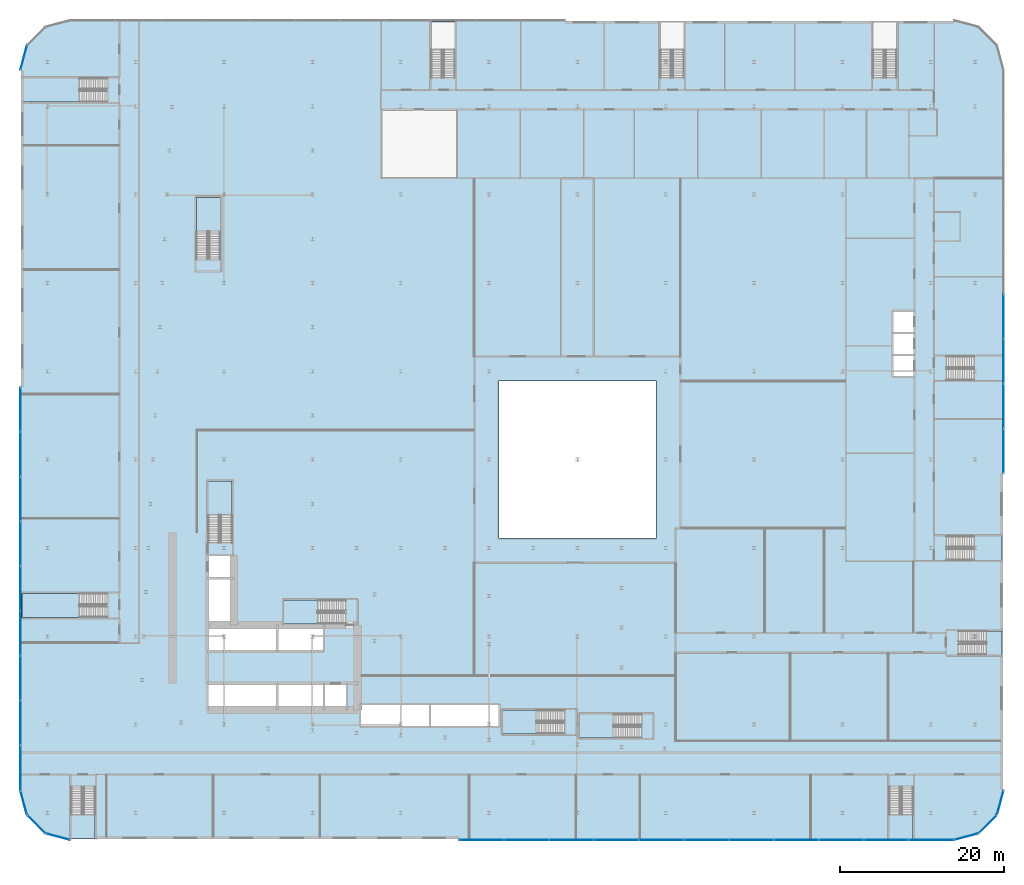
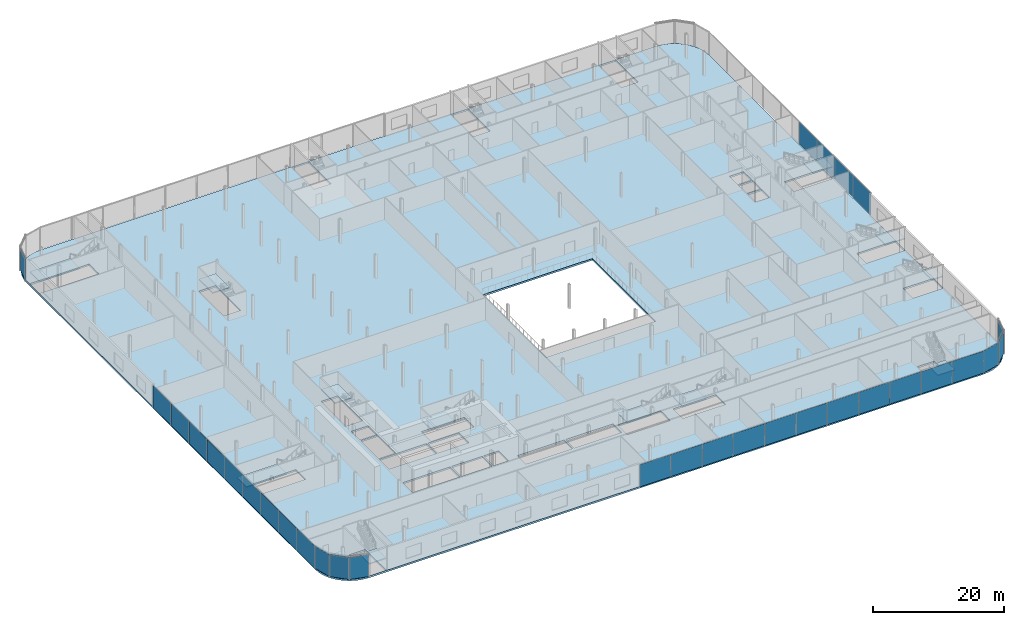
# One storey, part 24 of 47: 31 plates, 13 slabs, 22 elements without a shape of their own.
"""IFC4 building model written with IfcOpenShell, lengths in metres."""

from ifc_helpers import new_model, si_unit, direction, frame, origin, origin_2d, place, context, subcontext, project, spatial, polyline, rectangle, outline, extrude, material, layer, layer_set, type_object, element, aggregate, save


model = new_model("IFC4")

# Units and contexts
model_context = context("Model", 3, precision=1e-05, world=origin(), true_north=direction((0.0, 1.0)))
body_context = subcontext(model_context, "Body", "Model", "MODEL_VIEW")
ifc_project = project(units=[si_unit("LENGTHUNIT", "METRE"), si_unit("AREAUNIT", "SQUARE_METRE"), si_unit("VOLUMEUNIT", "CUBIC_METRE"), si_unit("PLANEANGLEUNIT", "RADIAN"), si_unit("MASSUNIT", "GRAM", prefix="KILO")], contexts=[model_context])

# Site, building, storey
site_placement = place(None, origin())
site = spatial("IfcSite", under=ifc_project, at=site_placement, CompositionType="ELEMENT")
building_placement = place(site_placement, origin())
building = spatial("IfcBuilding", under=site, at=building_placement, Name="Kheshtan School and Residences Tower", CompositionType="ELEMENT")
storey_placement = place(building_placement, frame((0.0, 0.0, 21.5)))
storey = spatial("IfcBuildingStorey", under=building, at=storey_placement, Name="L04", CompositionType="ELEMENT", Elevation=21.5)

# Curtain wall, plate
ifc_material_1 = material(Name="Clear low-e glass in thermally broken aluminium frame", Category="aluminium")
ifc_layer_1 = layer(ifc_material_1, 0.22509765625)
ifc_layer_set_1 = layer_set([ifc_layer_1], Name="Curtain wall CW-P")
curtain_wall_type = type_object("IfcCurtainWallType", Name="Curtain wall CW-P", PredefinedType="NOTDEFINED", material=ifc_layer_set_1)
curtain_wall_1_placement = place(storey_placement, origin())
curtain_wall_1 = element("IfcCurtainWall", 1, at=curtain_wall_1_placement, inside=storey, type_object=curtain_wall_type, Name="Curtain wall CWP1a", PredefinedType="NOTDEFINED")
ifc_layer_2 = layer(ifc_material_1, 0.035888671875)
ifc_layer_set_2 = layer_set([ifc_layer_2], Name="CW-P glass panel")
plate_type = type_object("IfcPlateType", Name="CW-P glass panel", PredefinedType="CURTAIN_PANEL", material=ifc_layer_set_2)
plate_1_placement = place(storey_placement, frame((12.305419921875, 105.52587890625, 0.0), z_axis=(0.0, 0.0, 1.0), x_axis=(0.258864833085, 0.965913556273, 0.0)))
plate_1 = element("IfcPlate", 2, at=plate_1_placement, type_object=plate_type, Name="CWP1a panel 1.1", PredefinedType="CURTAIN_PANEL", context=body_context, shape_type="SweptSolid", body=[
    extrude(rectangle(XDim=2.98583984375, YDim=0.035888671875, at=origin_2d()), origin(), (0.0, 0.0, 1.0), 4.110107421875),
])
aggregate(curtain_wall_1, [plate_1])

# Curtain wall, plates
curtain_wall_2_placement = place(storey_placement, origin())
curtain_wall_2 = element("IfcCurtainWall", 3, at=curtain_wall_2_placement, inside=storey, type_object=curtain_wall_type, Name="Curtain wall CWP8a", PredefinedType="NOTDEFINED")
plate_2_placement = place(storey_placement, frame((132.10009765625, 73.884521484375, 0.0), z_axis=(0.0, 0.0, 1.0), x_axis=(0.0, -1.0, 0.0)))
plate_2 = element("IfcPlate", 4, at=plate_2_placement, type_object=plate_type, Name="CWP8a panel 6.1", PredefinedType="CURTAIN_PANEL", context=body_context, shape_type="SweptSolid", body=[
    extrude(rectangle(XDim=5.41552734375, YDim=0.035888671875, at=origin_2d()), origin(), (0.0, 0.0, 1.0), 4.110107421875),
])
plate_3_placement = place(storey_placement, frame((132.10009765625, 68.408935546875, 0.0), z_axis=(0.0, 0.0, 1.0), x_axis=(0.0, -1.0, 0.0)))
plate_3 = element("IfcPlate", 5, at=plate_3_placement, type_object=plate_type, Name="CWP8a panel 7.1", PredefinedType="CURTAIN_PANEL", context=body_context, shape_type="SweptSolid", body=[
    extrude(rectangle(XDim=5.41552734375, YDim=0.035888671875, at=origin_2d()), origin(), (0.0, 0.0, 1.0), 4.110107421875),
])
plate_4_placement = place(storey_placement, frame((132.10009765625, 62.933349609375, 0.0), z_axis=(0.0, 0.0, 1.0), x_axis=(0.0, -1.0, 0.0)))
plate_4 = element("IfcPlate", 6, at=plate_4_placement, type_object=plate_type, Name="CWP8a panel 8.1", PredefinedType="CURTAIN_PANEL", context=body_context, shape_type="SweptSolid", body=[
    extrude(rectangle(XDim=5.41552734375, YDim=0.035888671875, at=origin_2d()), origin(), (0.0, 0.0, 1.0), 4.110107421875),
])
plate_5_placement = place(storey_placement, frame((132.10009765625, 57.47265625, 0.0), z_axis=(0.0, 0.0, 1.0), x_axis=(0.0, -1.0, 0.0)))
plate_5 = element("IfcPlate", 7, at=plate_5_placement, type_object=plate_type, Name="CWP8a panel 9.1", PredefinedType="CURTAIN_PANEL", context=body_context, shape_type="SweptSolid", body=[
    extrude(rectangle(XDim=5.385498046875, YDim=0.035888671875, at=origin_2d()), origin(), (0.0, 0.0, 1.0), 4.110107421875),
])
aggregate(curtain_wall_2, [plate_2, plate_3, plate_4, plate_5])

# Curtain wall, plate
curtain_wall_3_placement = place(storey_placement, origin())
curtain_wall_3 = element("IfcCurtainWall", 8, at=curtain_wall_3_placement, inside=storey, type_object=curtain_wall_type, Name="Curtain wall CWP9a", PredefinedType="NOTDEFINED")
plate_6_placement = place(storey_placement, frame((131.694580078125, 14.47412109375, 0.0), z_axis=(0.0, 0.0, 1.0), x_axis=(-0.258864833085, -0.965913556273, 0.0)))
plate_6 = element("IfcPlate", 9, at=plate_6_placement, type_object=plate_type, Name="CWP9a panel 1.1", PredefinedType="CURTAIN_PANEL", context=body_context, shape_type="SweptSolid", body=[
    extrude(rectangle(XDim=2.98583984375, YDim=0.035888671875, at=origin_2d()), origin(), (0.0, 0.0, 1.0), 4.110107421875),
])
aggregate(curtain_wall_3, [plate_6])

curtain_wall_4_placement = place(storey_placement, origin())
curtain_wall_4 = element("IfcCurtainWall", 10, at=curtain_wall_4_placement, inside=storey, type_object=curtain_wall_type, Name="Curtain wall CWP10a", PredefinedType="NOTDEFINED")
plate_7_placement = place(storey_placement, frame((130.168701171875, 11.831298828125, 0.0), z_axis=(0.0, 0.0, 1.0), x_axis=(-0.707106781187, -0.707106781187, 0.0)))
plate_7 = element("IfcPlate", 11, at=plate_7_placement, type_object=plate_type, Name="CWP10a panel 1.1", PredefinedType="CURTAIN_PANEL", context=body_context, shape_type="SweptSolid", body=[
    extrude(rectangle(XDim=2.985595703125, YDim=0.035888671875, at=origin_2d()), origin(), (0.0, 0.0, 1.0), 4.110107421875),
])
aggregate(curtain_wall_4, [plate_7])

curtain_wall_5_placement = place(storey_placement, origin())
curtain_wall_5 = element("IfcCurtainWall", 12, at=curtain_wall_5_placement, inside=storey, type_object=curtain_wall_type, Name="Curtain wall CWP11a", PredefinedType="NOTDEFINED")
plate_8_placement = place(storey_placement, frame((127.52587890625, 10.305419921875, 0.0), z_axis=(0.0, 0.0, 1.0), x_axis=(-0.965913556273, -0.258864833085, 0.0)))
plate_8 = element("IfcPlate", 13, at=plate_8_placement, type_object=plate_type, Name="CWP11a panel 1.1", PredefinedType="CURTAIN_PANEL", context=body_context, shape_type="SweptSolid", body=[
    extrude(rectangle(XDim=2.98583984375, YDim=0.035888671875, at=origin_2d()), origin(), (0.0, 0.0, 1.0), 4.110107421875),
])
aggregate(curtain_wall_5, [plate_8])

# Curtain wall, plates
curtain_wall_6_placement = place(storey_placement, origin())
curtain_wall_6 = element("IfcCurtainWall", 14, at=curtain_wall_6_placement, inside=storey, type_object=curtain_wall_type, Name="Curtain wall CWP12a", PredefinedType="NOTDEFINED")
plate_9_placement = place(storey_placement, frame((123.2783203125, 9.89990234375, 0.0), z_axis=(0.0, 0.0, 1.0), x_axis=(-1.0, 0.0, 0.0)))
plate_9 = element("IfcPlate", 15, at=plate_9_placement, type_object=plate_type, Name="CWP12a panel 1.1", PredefinedType="CURTAIN_PANEL", context=body_context, shape_type="SweptSolid", body=[
    extrude(rectangle(XDim=5.4931640625, YDim=0.035888671875, at=origin_2d()), origin(), (0.0, 0.0, 1.0), 4.110107421875),
])
plate_10_placement = place(storey_placement, frame((117.752685546875, 9.89990234375, 0.0), z_axis=(0.0, 0.0, 1.0), x_axis=(-1.0, 0.0, 0.0)))
plate_10 = element("IfcPlate", 16, at=plate_10_placement, type_object=plate_type, Name="CWP12a panel 2.1", PredefinedType="CURTAIN_PANEL", context=body_context, shape_type="SweptSolid", body=[
    extrude(rectangle(XDim=5.438232421875, YDim=0.035888671875, at=origin_2d()), origin(), (0.0, 0.0, 1.0), 4.110107421875),
])
plate_11_placement = place(storey_placement, frame((112.254638671875, 9.89990234375, 0.0), z_axis=(0.0, 0.0, 1.0), x_axis=(-1.0, 0.0, 0.0)))
plate_11 = element("IfcPlate", 17, at=plate_11_placement, type_object=plate_type, Name="CWP12a panel 3.1", PredefinedType="CURTAIN_PANEL", context=body_context, shape_type="SweptSolid", body=[
    extrude(rectangle(XDim=5.438232421875, YDim=0.035888671875, at=origin_2d()), origin(), (0.0, 0.0, 1.0), 4.110107421875),
])
plate_12_placement = place(storey_placement, frame((106.75634765625, 9.89990234375, 0.0), z_axis=(0.0, 0.0, 1.0), x_axis=(-1.0, 0.0, 0.0)))
plate_12 = element("IfcPlate", 18, at=plate_12_placement, type_object=plate_type, Name="CWP12a panel 4.1", PredefinedType="CURTAIN_PANEL", context=body_context, shape_type="SweptSolid", body=[
    extrude(rectangle(XDim=5.438232421875, YDim=0.035888671875, at=origin_2d()), origin(), (0.0, 0.0, 1.0), 4.110107421875),
])
plate_13_placement = place(storey_placement, frame((101.25830078125, 9.89990234375, 0.0), z_axis=(0.0, 0.0, 1.0), x_axis=(-1.0, 0.0, 0.0)))
plate_13 = element("IfcPlate", 19, at=plate_13_placement, type_object=plate_type, Name="CWP12a panel 5.1", PredefinedType="CURTAIN_PANEL", context=body_context, shape_type="SweptSolid", body=[
    extrude(rectangle(XDim=5.438232421875, YDim=0.035888671875, at=origin_2d()), origin(), (0.0, 0.0, 1.0), 4.110107421875),
])
plate_14_placement = place(storey_placement, frame((95.760009765625, 9.89990234375, 0.0), z_axis=(0.0, 0.0, 1.0), x_axis=(-1.0, 0.0, 0.0)))
plate_14 = element("IfcPlate", 20, at=plate_14_placement, type_object=plate_type, Name="CWP12a panel 6.1", PredefinedType="CURTAIN_PANEL", context=body_context, shape_type="SweptSolid", body=[
    extrude(rectangle(XDim=5.438232421875, YDim=0.035888671875, at=origin_2d()), origin(), (0.0, 0.0, 1.0), 4.110107421875),
])
plate_15_placement = place(storey_placement, frame((90.26171875, 9.89990234375, 0.0), z_axis=(0.0, 0.0, 1.0), x_axis=(-1.0, 0.0, 0.0)))
plate_15 = element("IfcPlate", 21, at=plate_15_placement, type_object=plate_type, Name="CWP12a panel 7.1", PredefinedType="CURTAIN_PANEL", context=body_context, shape_type="SweptSolid", body=[
    extrude(rectangle(XDim=5.438232421875, YDim=0.035888671875, at=origin_2d()), origin(), (0.0, 0.0, 1.0), 4.110107421875),
])
plate_16_placement = place(storey_placement, frame((84.763671875, 9.89990234375, 0.0), z_axis=(0.0, 0.0, 1.0), x_axis=(-1.0, 0.0, 0.0)))
plate_16 = element("IfcPlate", 22, at=plate_16_placement, type_object=plate_type, Name="CWP12a panel 8.1", PredefinedType="CURTAIN_PANEL", context=body_context, shape_type="SweptSolid", body=[
    extrude(rectangle(XDim=5.438232421875, YDim=0.035888671875, at=origin_2d()), origin(), (0.0, 0.0, 1.0), 4.110107421875),
])
plate_17_placement = place(storey_placement, frame((79.265380859375, 9.89990234375, 0.0), z_axis=(0.0, 0.0, 1.0), x_axis=(-1.0, 0.0, 0.0)))
plate_17 = element("IfcPlate", 23, at=plate_17_placement, type_object=plate_type, Name="CWP12a panel 9.1", PredefinedType="CURTAIN_PANEL", context=body_context, shape_type="SweptSolid", body=[
    extrude(rectangle(XDim=5.438232421875, YDim=0.035888671875, at=origin_2d()), origin(), (0.0, 0.0, 1.0), 4.110107421875),
])
plate_18_placement = place(storey_placement, frame((73.767333984375, 9.89990234375, 0.0), z_axis=(0.0, 0.0, 1.0), x_axis=(-1.0, 0.0, 0.0)))
plate_18 = element("IfcPlate", 24, at=plate_18_placement, type_object=plate_type, Name="CWP12a panel 10.1", PredefinedType="CURTAIN_PANEL", context=body_context, shape_type="SweptSolid", body=[
    extrude(rectangle(XDim=5.438232421875, YDim=0.035888671875, at=origin_2d()), origin(), (0.0, 0.0, 1.0), 4.110107421875),
])
plate_19_placement = place(storey_placement, frame((68.2841796875, 9.89990234375, 0.0), z_axis=(0.0, 0.0, 1.0), x_axis=(-1.0, 0.0, 0.0)))
plate_19 = element("IfcPlate", 25, at=plate_19_placement, type_object=plate_type, Name="CWP12a panel 11.1", PredefinedType="CURTAIN_PANEL", context=body_context, shape_type="SweptSolid", body=[
    extrude(rectangle(XDim=5.408203125, YDim=0.035888671875, at=origin_2d()), origin(), (0.0, 0.0, 1.0), 4.110107421875),
])
aggregate(curtain_wall_6, [plate_9, plate_10, plate_11, plate_12, plate_13, plate_14, plate_15, plate_16, plate_17, plate_18, plate_19])

# Curtain wall, plate
curtain_wall_7_placement = place(storey_placement, origin())
curtain_wall_7 = element("IfcCurtainWall", 26, at=curtain_wall_7_placement, inside=storey, type_object=curtain_wall_type, Name="Curtain wall CWP13a", PredefinedType="NOTDEFINED")
plate_20_placement = place(storey_placement, frame((16.47412109375, 10.305419921875, 0.0), z_axis=(0.0, 0.0, 1.0), x_axis=(-0.965913556273, 0.258864833085, 0.0)))
plate_20 = element("IfcPlate", 27, at=plate_20_placement, type_object=plate_type, Name="CWP13a panel 1.1", PredefinedType="CURTAIN_PANEL", context=body_context, shape_type="SweptSolid", body=[
    extrude(rectangle(XDim=2.98583984375, YDim=0.035888671875, at=origin_2d()), origin(), (0.0, 0.0, 1.0), 4.110107421875),
])
aggregate(curtain_wall_7, [plate_20])

curtain_wall_8_placement = place(storey_placement, origin())
curtain_wall_8 = element("IfcCurtainWall", 28, at=curtain_wall_8_placement, inside=storey, type_object=curtain_wall_type, Name="Curtain wall CWP14a", PredefinedType="NOTDEFINED")
plate_21_placement = place(storey_placement, frame((13.831298828125, 11.831298828125, 0.0), z_axis=(0.0, 0.0, 1.0), x_axis=(-0.707106781187, 0.707106781187, 0.0)))
plate_21 = element("IfcPlate", 29, at=plate_21_placement, type_object=plate_type, Name="CWP14a panel 1.1", PredefinedType="CURTAIN_PANEL", context=body_context, shape_type="SweptSolid", body=[
    extrude(rectangle(XDim=2.985595703125, YDim=0.035888671875, at=origin_2d()), origin(), (0.0, 0.0, 1.0), 4.110107421875),
])
aggregate(curtain_wall_8, [plate_21])

curtain_wall_9_placement = place(storey_placement, origin())
curtain_wall_9 = element("IfcCurtainWall", 30, at=curtain_wall_9_placement, inside=storey, type_object=curtain_wall_type, Name="Curtain wall CWP15a", PredefinedType="NOTDEFINED")
plate_22_placement = place(storey_placement, frame((12.305419921875, 14.47412109375, 0.0), z_axis=(0.0, 0.0, 1.0), x_axis=(-0.258864833085, 0.965913556273, 0.0)))
plate_22 = element("IfcPlate", 31, at=plate_22_placement, type_object=plate_type, Name="CWP15a panel 1.1", PredefinedType="CURTAIN_PANEL", context=body_context, shape_type="SweptSolid", body=[
    extrude(rectangle(XDim=2.98583984375, YDim=0.035888671875, at=origin_2d()), origin(), (0.0, 0.0, 1.0), 4.110107421875),
])
aggregate(curtain_wall_9, [plate_22])

# Curtain wall, plates
curtain_wall_10_placement = place(storey_placement, origin())
curtain_wall_10 = element("IfcCurtainWall", 32, at=curtain_wall_10_placement, inside=storey, type_object=curtain_wall_type, Name="Curtain wall CWP16a", PredefinedType="NOTDEFINED")
plate_23_placement = place(storey_placement, frame((11.89990234375, 18.71044921875, 0.0), z_axis=(0.0, 0.0, 1.0), x_axis=(0.0, 1.0, 0.0)))
plate_23 = element("IfcPlate", 33, at=plate_23_placement, type_object=plate_type, Name="CWP16a panel 1.1", PredefinedType="CURTAIN_PANEL", context=body_context, shape_type="SweptSolid", body=[
    extrude(rectangle(XDim=5.470458984375, YDim=0.035888671875, at=origin_2d()), origin(), (0.0, 0.0, 1.0), 4.110107421875),
])
plate_24_placement = place(storey_placement, frame((11.89990234375, 24.21337890625, 0.0), z_axis=(0.0, 0.0, 1.0), x_axis=(0.0, 1.0, 0.0)))
plate_24 = element("IfcPlate", 34, at=plate_24_placement, type_object=plate_type, Name="CWP16a panel 2.1", PredefinedType="CURTAIN_PANEL", context=body_context, shape_type="SweptSolid", body=[
    extrude(rectangle(XDim=5.41552734375, YDim=0.035888671875, at=origin_2d()), origin(), (0.0, 0.0, 1.0), 4.110107421875),
])
plate_25_placement = place(storey_placement, frame((11.89990234375, 29.68896484375, 0.0), z_axis=(0.0, 0.0, 1.0), x_axis=(0.0, 1.0, 0.0)))
plate_25 = element("IfcPlate", 35, at=plate_25_placement, type_object=plate_type, Name="CWP16a panel 3.1", PredefinedType="CURTAIN_PANEL", context=body_context, shape_type="SweptSolid", body=[
    extrude(rectangle(XDim=5.41552734375, YDim=0.035888671875, at=origin_2d()), origin(), (0.0, 0.0, 1.0), 4.110107421875),
])
plate_26_placement = place(storey_placement, frame((11.89990234375, 35.16455078125, 0.0), z_axis=(0.0, 0.0, 1.0), x_axis=(0.0, 1.0, 0.0)))
plate_26 = element("IfcPlate", 36, at=plate_26_placement, type_object=plate_type, Name="CWP16a panel 4.1", PredefinedType="CURTAIN_PANEL", context=body_context, shape_type="SweptSolid", body=[
    extrude(rectangle(XDim=5.41552734375, YDim=0.035888671875, at=origin_2d()), origin(), (0.0, 0.0, 1.0), 4.110107421875),
])
plate_27_placement = place(storey_placement, frame((11.89990234375, 40.639892578125, 0.0), z_axis=(0.0, 0.0, 1.0), x_axis=(0.0, 1.0, 0.0)))
plate_27 = element("IfcPlate", 37, at=plate_27_placement, type_object=plate_type, Name="CWP16a panel 5.1", PredefinedType="CURTAIN_PANEL", context=body_context, shape_type="SweptSolid", body=[
    extrude(rectangle(XDim=5.41552734375, YDim=0.035888671875, at=origin_2d()), origin(), (0.0, 0.0, 1.0), 4.110107421875),
])
plate_28_placement = place(storey_placement, frame((11.89990234375, 46.115478515625, 0.0), z_axis=(0.0, 0.0, 1.0), x_axis=(0.0, 1.0, 0.0)))
plate_28 = element("IfcPlate", 38, at=plate_28_placement, type_object=plate_type, Name="CWP16a panel 6.1", PredefinedType="CURTAIN_PANEL", context=body_context, shape_type="SweptSolid", body=[
    extrude(rectangle(XDim=5.41552734375, YDim=0.035888671875, at=origin_2d()), origin(), (0.0, 0.0, 1.0), 4.110107421875),
])
plate_29_placement = place(storey_placement, frame((11.89990234375, 51.591064453125, 0.0), z_axis=(0.0, 0.0, 1.0), x_axis=(0.0, 1.0, 0.0)))
plate_29 = element("IfcPlate", 39, at=plate_29_placement, type_object=plate_type, Name="CWP16a panel 7.1", PredefinedType="CURTAIN_PANEL", context=body_context, shape_type="SweptSolid", body=[
    extrude(rectangle(XDim=5.41552734375, YDim=0.035888671875, at=origin_2d()), origin(), (0.0, 0.0, 1.0), 4.110107421875),
])
plate_30_placement = place(storey_placement, frame((11.89990234375, 57.066650390625, 0.0), z_axis=(0.0, 0.0, 1.0), x_axis=(0.0, 1.0, 0.0)))
plate_30 = element("IfcPlate", 40, at=plate_30_placement, type_object=plate_type, Name="CWP16a panel 8.1", PredefinedType="CURTAIN_PANEL", context=body_context, shape_type="SweptSolid", body=[
    extrude(rectangle(XDim=5.41552734375, YDim=0.035888671875, at=origin_2d()), origin(), (0.0, 0.0, 1.0), 4.110107421875),
])
plate_31_placement = place(storey_placement, frame((11.89990234375, 62.52734375, 0.0), z_axis=(0.0, 0.0, 1.0), x_axis=(0.0, 1.0, 0.0)))
plate_31 = element("IfcPlate", 41, at=plate_31_placement, type_object=plate_type, Name="CWP16a panel 9.1", PredefinedType="CURTAIN_PANEL", context=body_context, shape_type="SweptSolid", body=[
    extrude(rectangle(XDim=5.385498046875, YDim=0.035888671875, at=origin_2d()), origin(), (0.0, 0.0, 1.0), 4.110107421875),
])
aggregate(curtain_wall_10, [plate_23, plate_24, plate_25, plate_26, plate_27, plate_28, plate_29, plate_30, plate_31])

# Slab
ifc_material_2 = material(Name="Concrete C40/50", Category="concrete")
ifc_layer_3 = layer(ifc_material_2, 0.320068359375)
ifc_layer_set_3 = layer_set([ifc_layer_3], Name="Floor slab 320 Concrete C40/50")
slab_type_1 = type_object("IfcSlabType", Name="Floor slab 320 Concrete C40/50", PredefinedType="FLOOR", material=ifc_layer_set_3)
slab_1_placement = place(storey_placement, frame((0.0, 0.0, -0.320068359375)))
element("IfcSlab", 42, at=slab_1_placement, inside=storey, type_object=slab_type_1, Name="Floor slab L04", PredefinedType="FLOOR", context=body_context, shape_type="SweptSolid", body=[
    extrude(outline(polyline([(131.196044921875, 107.0), (131.637939453125, 106.052001953125), (131.908935546875, 105.0419921875), (132.0, 104.0), (132.0, 16.0), (131.908935546875, 14.9580078125), (131.637939453125, 13.947998046875), (131.196044921875, 13.0), (130.595947265625, 12.14306640625), (129.85693359375, 11.404052734375), (129.0, 10.803955078125), (128.052001953125, 10.362060546875), (127.0419921875, 10.091064453125), (126.0, 10.0), (18.0, 10.0), (16.9580078125, 10.091064453125), (15.947998046875, 10.362060546875), (15.0, 10.803955078125), (14.14306640625, 11.404052734375), (13.404052734375, 12.14306640625), (12.803955078125, 13.0), (12.362060546875, 13.947998046875), (12.091064453125, 14.9580078125), (12.0, 16.0), (12.0, 104.0), (12.091064453125, 105.0419921875), (12.362060546875, 106.052001953125), (12.803955078125, 107.0), (13.404052734375, 107.85693359375), (14.14306640625, 108.595947265625), (15.0, 109.196044921875), (15.947998046875, 109.637939453125), (16.9580078125, 109.908935546875), (18.0, 110.0), (126.0, 110.0), (127.0419921875, 109.908935546875), (128.052001953125, 109.637939453125), (129.0, 109.196044921875), (129.85693359375, 108.595947265625), (130.595947265625, 107.85693359375), (131.196044921875, 107.0)]), holes=[polyline([(21.050048828125, 10.10009765625), (21.050048828125, 16.389892578125), (19.64990234375, 16.389892578125), (19.64990234375, 16.39990234375), (18.10009765625, 16.39990234375), (18.10009765625, 10.10009765625), (21.050048828125, 10.10009765625)]), polyline([(53.52490234375, 26.425048828125), (53.52490234375, 23.824951171875), (61.824951171875, 23.824951171875), (61.824951171875, 26.425048828125), (53.52490234375, 26.425048828125)]), polyline([(34.875, 28.925048828125), (34.875, 25.925048828125), (43.175048828125, 25.925048828125), (43.175048828125, 28.925048828125), (34.875, 28.925048828125)]), polyline([(48.875, 25.925048828125), (48.875, 28.925048828125), (43.425048828125, 28.925048828125), (43.425048828125, 25.925048828125), (48.875, 25.925048828125)]), polyline([(49.125, 25.925048828125), (51.72509765625, 25.925048828125), (51.72509765625, 28.925048828125), (49.125, 28.925048828125), (49.125, 25.925048828125)]), polyline([(34.875, 36.074951171875), (34.875, 33.074951171875), (43.175048828125, 33.074951171875), (43.175048828125, 36.074951171875), (34.875, 36.074951171875)]), polyline([(48.875, 33.074951171875), (48.875, 36.074951171875), (43.425048828125, 36.074951171875), (43.425048828125, 33.074951171875), (48.875, 33.074951171875)]), polyline([(51.639892578125, 37.699951171875), (51.64990234375, 37.699951171875), (51.64990234375, 39.25), (44.090087890625, 39.25), (44.090087890625, 36.300048828125), (51.639892578125, 36.300048828125), (51.639892578125, 37.699951171875)]), polyline([(22.5, 38.5), (22.5, 40.050048828125), (12.10009765625, 40.050048828125), (12.10009765625, 37.10009765625), (22.489990234375, 37.10009765625), (22.489990234375, 38.5), (22.5, 38.5)]), polyline([(34.875, 36.324951171875), (37.875, 36.324951171875), (37.875, 41.77490234375), (34.875, 41.77490234375), (34.875, 36.324951171875)]), polyline([(34.875, 42.02490234375), (37.875, 42.02490234375), (37.875, 44.625), (34.875, 44.625), (34.875, 42.02490234375)]), polyline([(34.85009765625, 46.260009765625), (36.25, 46.260009765625), (36.25, 46.25), (37.800048828125, 46.25), (37.800048828125, 53.81005859375), (34.85009765625, 53.81005859375), (34.85009765625, 46.260009765625)]), polyline([(33.39990234375, 80.909912109375), (34.800048828125, 80.909912109375), (34.800048828125, 80.89990234375), (36.35009765625, 80.89990234375), (36.35009765625, 88.4599609375), (33.39990234375, 88.4599609375), (33.39990234375, 80.909912109375)]), polyline([(22.5, 101.5), (22.5, 103.050048828125), (12.10009765625, 103.050048828125), (12.10009765625, 100.10009765625), (22.489990234375, 100.10009765625), (22.489990234375, 101.5), (22.5, 101.5)]), polyline([(119.64990234375, 16.389892578125), (119.64990234375, 16.39990234375), (118.10009765625, 16.39990234375), (118.10009765625, 10.10009765625), (121.050048828125, 10.10009765625), (121.050048828125, 16.389892578125), (119.64990234375, 16.389892578125)]), polyline([(87.820068359375, 23.75), (87.820068359375, 25.300048828125), (80.260009765625, 25.300048828125), (80.260009765625, 22.35009765625), (87.81005859375, 22.35009765625), (87.81005859375, 23.75), (87.820068359375, 23.75)]), polyline([(78.409912109375, 24.25), (78.409912109375, 25.800048828125), (70.85009765625, 25.800048828125), (70.85009765625, 22.85009765625), (78.39990234375, 22.85009765625), (78.39990234375, 24.25), (78.409912109375, 24.25)]), polyline([(70.375, 23.824951171875), (70.375, 26.425048828125), (62.074951171875, 26.425048828125), (62.074951171875, 23.824951171875), (70.375, 23.824951171875)]), polyline([(126.590087890625, 35.47509765625), (126.590087890625, 34.074951171875), (126.580078125, 34.074951171875), (126.580078125, 32.52490234375), (131.89990234375, 32.52490234375), (131.89990234375, 35.47509765625), (126.590087890625, 35.47509765625)]), polyline([(125.110107421875, 47.050048828125), (125.110107421875, 45.64990234375), (125.10009765625, 45.64990234375), (125.10009765625, 44.10009765625), (131.89990234375, 44.10009765625), (131.89990234375, 47.050048828125), (125.110107421875, 47.050048828125)]), polyline([(70.39990234375, 46.800048828125), (89.60009765625, 46.800048828125), (89.60009765625, 66.0), (70.39990234375, 66.0), (70.39990234375, 46.800048828125)]), polyline([(125.110107421875, 67.64990234375), (125.10009765625, 67.64990234375), (125.10009765625, 66.10009765625), (131.89990234375, 66.10009765625), (131.89990234375, 69.050048828125), (125.110107421875, 69.050048828125), (125.110107421875, 67.64990234375)]), polyline([(118.625, 66.625), (121.074951171875, 66.625), (121.074951171875, 69.074951171875), (118.625, 69.074951171875), (118.625, 66.625)]), polyline([(118.625, 69.324951171875), (121.074951171875, 69.324951171875), (121.074951171875, 71.77490234375), (118.625, 71.77490234375), (118.625, 69.324951171875)]), polyline([(118.625, 72.02490234375), (121.074951171875, 72.02490234375), (121.074951171875, 74.47509765625), (118.625, 74.47509765625), (118.625, 72.02490234375)]), polyline([(65.050048828125, 109.89990234375), (62.10009765625, 109.89990234375), (62.10009765625, 103.110107421875), (63.5, 103.110107421875), (63.5, 103.10009765625), (65.050048828125, 103.10009765625), (65.050048828125, 109.89990234375)]), polyline([(93.050048828125, 109.89990234375), (90.10009765625, 109.89990234375), (90.10009765625, 103.110107421875), (91.5, 103.110107421875), (91.5, 103.10009765625), (93.050048828125, 103.10009765625), (93.050048828125, 109.89990234375)]), polyline([(119.050048828125, 109.89990234375), (116.10009765625, 109.89990234375), (116.10009765625, 103.110107421875), (117.5, 103.110107421875), (117.5, 103.10009765625), (119.050048828125, 103.10009765625), (119.050048828125, 109.89990234375)])]), origin(), (0.0, 0.0, 1.0), 0.320068359375),
])

# Stair, slab
stair_type = type_object("IfcStairType", Name="Exit stair, half-turn", PredefinedType="HALF_TURN_STAIR", material=ifc_material_2)
stair_1_placement = place(storey_placement, origin())
stair_1 = element("IfcStair", 43, at=stair_1_placement, inside=storey, type_object=stair_type, Name="L04 Protected Exit Stair ST1", PredefinedType="HALF_TURN_STAIR")
ifc_layer_4 = layer(ifc_material_2, 0.199951171875)
ifc_layer_set_4 = layer_set([ifc_layer_4], Name="Stair landing 200 Concrete C40/50")
slab_type_2 = type_object("IfcSlabType", Name="Stair landing 200 Concrete C40/50", PredefinedType="LANDING", material=ifc_layer_set_4)
slab_2_placement = place(storey_placement, frame((0.0, 0.0, 2.050048828125)))
slab_2 = element("IfcSlab", 44, at=slab_2_placement, type_object=slab_type_2, Name="ST1 landing 1", PredefinedType="LANDING", context=body_context, shape_type="SweptSolid", body=[
    extrude(outline(polyline([(48.2900390625, 39.25), (44.090087890625, 39.25), (44.090087890625, 36.300048828125), (48.2900390625, 36.300048828125), (48.2900390625, 39.25)])), origin(), (0.0, 0.0, 1.0), 0.199951171875),
])
aggregate(stair_1, [slab_2])

stair_2_placement = place(storey_placement, origin())
stair_2 = element("IfcStair", 45, at=stair_2_placement, inside=storey, type_object=stair_type, Name="L04 Protected Exit Stair ST2", PredefinedType="HALF_TURN_STAIR")
slab_3_placement = place(storey_placement, frame((0.0, 0.0, 2.050048828125)))
slab_3 = element("IfcSlab", 46, at=slab_3_placement, type_object=slab_type_2, Name="ST2 landing 1", PredefinedType="LANDING", context=body_context, shape_type="SweptSolid", body=[
    extrude(outline(polyline([(37.800048828125, 49.610107421875), (37.800048828125, 53.81005859375), (34.85009765625, 53.81005859375), (34.85009765625, 49.610107421875), (37.800048828125, 49.610107421875)])), origin(), (0.0, 0.0, 1.0), 0.199951171875),
])
aggregate(stair_2, [slab_3])

stair_3_placement = place(storey_placement, origin())
stair_3 = element("IfcStair", 47, at=stair_3_placement, inside=storey, type_object=stair_type, Name="L04 Protected Exit Stair ST3", PredefinedType="HALF_TURN_STAIR")
slab_4_placement = place(storey_placement, frame((0.0, 0.0, 2.050048828125)))
slab_4 = element("IfcSlab", 48, at=slab_4_placement, type_object=slab_type_2, Name="ST3 landing 1", PredefinedType="LANDING", context=body_context, shape_type="SweptSolid", body=[
    extrude(outline(polyline([(36.35009765625, 84.260009765625), (36.35009765625, 88.4599609375), (33.39990234375, 88.4599609375), (33.39990234375, 84.260009765625), (36.35009765625, 84.260009765625)])), origin(), (0.0, 0.0, 1.0), 0.199951171875),
])
aggregate(stair_3, [slab_4])

stair_4_placement = place(storey_placement, origin())
stair_4 = element("IfcStair", 49, at=stair_4_placement, inside=storey, type_object=stair_type, Name="L04 Protected Exit Stair ST4", PredefinedType="HALF_TURN_STAIR")
slab_5_placement = place(storey_placement, frame((0.0, 0.0, 2.050048828125)))
slab_5 = element("IfcSlab", 50, at=slab_5_placement, type_object=slab_type_2, Name="ST4 landing 1", PredefinedType="LANDING", context=body_context, shape_type="SweptSolid", body=[
    extrude(outline(polyline([(84.4599609375, 25.300048828125), (80.260009765625, 25.300048828125), (80.260009765625, 22.35009765625), (84.4599609375, 22.35009765625), (84.4599609375, 25.300048828125)])), origin(), (0.0, 0.0, 1.0), 0.199951171875),
])
aggregate(stair_4, [slab_5])

stair_5_placement = place(storey_placement, origin())
stair_5 = element("IfcStair", 51, at=stair_5_placement, inside=storey, type_object=stair_type, Name="L04 Protected Exit Stair ST5", PredefinedType="HALF_TURN_STAIR")
slab_6_placement = place(storey_placement, frame((0.0, 0.0, 2.050048828125)))
slab_6 = element("IfcSlab", 52, at=slab_6_placement, type_object=slab_type_2, Name="ST5 landing 1", PredefinedType="LANDING", context=body_context, shape_type="SweptSolid", body=[
    extrude(outline(polyline([(75.050048828125, 25.800048828125), (70.85009765625, 25.800048828125), (70.85009765625, 22.85009765625), (75.050048828125, 22.85009765625), (75.050048828125, 25.800048828125)])), origin(), (0.0, 0.0, 1.0), 0.199951171875),
])
aggregate(stair_5, [slab_6])

stair_6_placement = place(storey_placement, origin())
stair_6 = element("IfcStair", 53, at=stair_6_placement, inside=storey, type_object=stair_type, Name="L04 Civic Exit Stair 012-037", PredefinedType="HALF_TURN_STAIR")
slab_7_placement = place(storey_placement, frame((0.0, 0.0, 2.050048828125)))
slab_7 = element("IfcSlab", 54, at=slab_7_placement, type_object=slab_type_2, Name="PS-012-037 landing 1", PredefinedType="LANDING", context=body_context, shape_type="SweptSolid", body=[
    extrude(outline(polyline([(19.139892578125, 40.050048828125), (12.10009765625, 40.050048828125), (12.10009765625, 37.10009765625), (19.139892578125, 37.10009765625), (19.139892578125, 40.050048828125)])), origin(), (0.0, 0.0, 1.0), 0.199951171875),
])
aggregate(stair_6, [slab_7])

stair_7_placement = place(storey_placement, origin())
stair_7 = element("IfcStair", 55, at=stair_7_placement, inside=storey, type_object=stair_type, Name="L04 Civic Exit Stair 012-100", PredefinedType="HALF_TURN_STAIR")
slab_8_placement = place(storey_placement, frame((0.0, 0.0, 2.050048828125)))
slab_8 = element("IfcSlab", 56, at=slab_8_placement, type_object=slab_type_2, Name="PS-012-100 landing 1", PredefinedType="LANDING", context=body_context, shape_type="SweptSolid", body=[
    extrude(outline(polyline([(19.139892578125, 103.050048828125), (12.10009765625, 103.050048828125), (12.10009765625, 100.10009765625), (19.139892578125, 100.10009765625), (19.139892578125, 103.050048828125)])), origin(), (0.0, 0.0, 1.0), 0.199951171875),
])
aggregate(stair_7, [slab_8])

stair_8_placement = place(storey_placement, origin())
stair_8 = element("IfcStair", 57, at=stair_8_placement, inside=storey, type_object=stair_type, Name="L04 Civic Exit Stair 018-010", PredefinedType="HALF_TURN_STAIR")
slab_9_placement = place(storey_placement, frame((0.0, 0.0, 2.050048828125)))
slab_9 = element("IfcSlab", 58, at=slab_9_placement, type_object=slab_type_2, Name="PS-018-010 landing 1", PredefinedType="LANDING", context=body_context, shape_type="SweptSolid", body=[
    extrude(outline(polyline([(18.10009765625, 13.0400390625), (18.10009765625, 10.10009765625), (21.050048828125, 10.10009765625), (21.050048828125, 13.0400390625), (18.10009765625, 13.0400390625)])), origin(), (0.0, 0.0, 1.0), 0.199951171875),
])
aggregate(stair_8, [slab_9])

stair_9_placement = place(storey_placement, origin())
stair_9 = element("IfcStair", 59, at=stair_9_placement, inside=storey, type_object=stair_type, Name="L04 Civic Exit Stair 118-010", PredefinedType="HALF_TURN_STAIR")
slab_10_placement = place(storey_placement, frame((0.0, 0.0, 2.050048828125)))
slab_10 = element("IfcSlab", 60, at=slab_10_placement, type_object=slab_type_2, Name="PS-118-010 landing 1", PredefinedType="LANDING", context=body_context, shape_type="SweptSolid", body=[
    extrude(outline(polyline([(118.10009765625, 13.0400390625), (118.10009765625, 10.10009765625), (121.050048828125, 10.10009765625), (121.050048828125, 13.0400390625), (118.10009765625, 13.0400390625)])), origin(), (0.0, 0.0, 1.0), 0.199951171875),
])
aggregate(stair_9, [slab_10])

stair_10_placement = place(storey_placement, origin())
stair_10 = element("IfcStair", 61, at=stair_10_placement, inside=storey, type_object=stair_type, Name="L04 School Exit Stair 124-044", PredefinedType="HALF_TURN_STAIR")
slab_11_placement = place(storey_placement, frame((0.0, 0.0, 2.050048828125)))
slab_11 = element("IfcSlab", 62, at=slab_11_placement, type_object=slab_type_2, Name="PS-124-044 landing 1", PredefinedType="LANDING", context=body_context, shape_type="SweptSolid", body=[
    extrude(outline(polyline([(128.4599609375, 44.10009765625), (131.89990234375, 44.10009765625), (131.89990234375, 47.050048828125), (128.4599609375, 47.050048828125), (128.4599609375, 44.10009765625)])), origin(), (0.0, 0.0, 1.0), 0.199951171875),
])
aggregate(stair_10, [slab_11])

stair_11_placement = place(storey_placement, origin())
stair_11 = element("IfcStair", 63, at=stair_11_placement, inside=storey, type_object=stair_type, Name="L04 School Exit Stair 124-066", PredefinedType="HALF_TURN_STAIR")
slab_12_placement = place(storey_placement, frame((0.0, 0.0, 2.050048828125)))
slab_12 = element("IfcSlab", 64, at=slab_12_placement, type_object=slab_type_2, Name="PS-124-066 landing 1", PredefinedType="LANDING", context=body_context, shape_type="SweptSolid", body=[
    extrude(outline(polyline([(128.4599609375, 66.10009765625), (131.89990234375, 66.10009765625), (131.89990234375, 69.050048828125), (128.4599609375, 69.050048828125), (128.4599609375, 66.10009765625)])), origin(), (0.0, 0.0, 1.0), 0.199951171875),
])
aggregate(stair_11, [slab_12])

stair_12_placement = place(storey_placement, origin())
stair_12 = element("IfcStair", 65, at=stair_12_placement, inside=storey, type_object=stair_type, Name="L04 Civic Exit Stair 125-032", PredefinedType="HALF_TURN_STAIR")
slab_13_placement = place(storey_placement, frame((0.0, 0.0, 2.050048828125)))
slab_13 = element("IfcSlab", 66, at=slab_13_placement, type_object=slab_type_2, Name="PS-125-032 landing 1", PredefinedType="LANDING", context=body_context, shape_type="SweptSolid", body=[
    extrude(outline(polyline([(129.93994140625, 32.52490234375), (131.89990234375, 32.52490234375), (131.89990234375, 35.47509765625), (129.93994140625, 35.47509765625), (129.93994140625, 32.52490234375)])), origin(), (0.0, 0.0, 1.0), 0.199951171875),
])
aggregate(stair_12, [slab_13])

save(model, "model.ifc")
